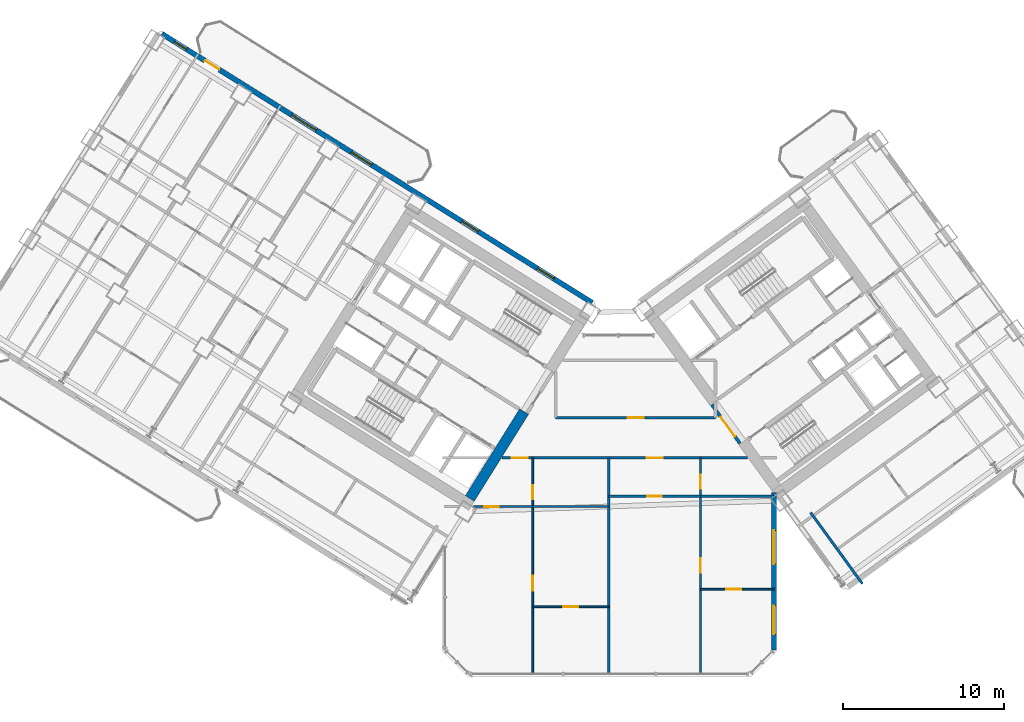
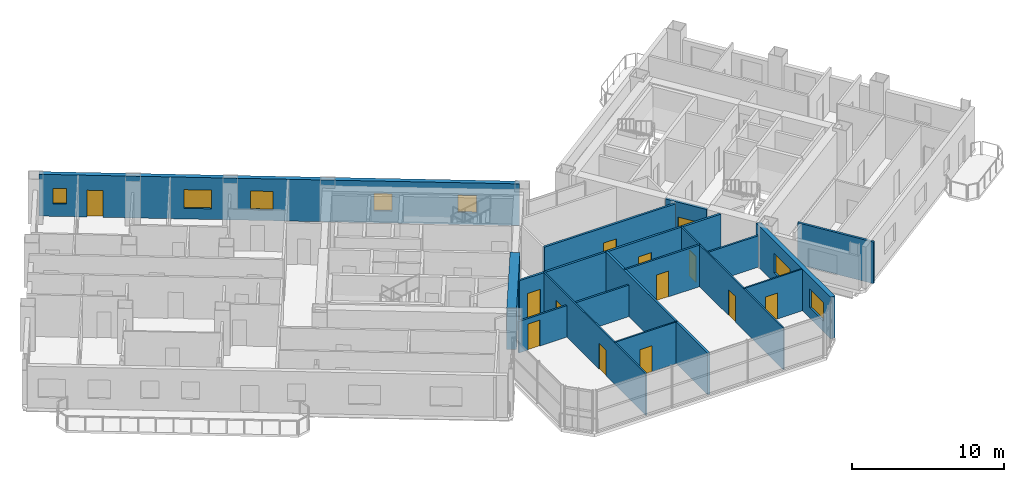
# One storey, part 17 of 24: 16 walls, 13 doors, 7 windows, 20 openings.
"""IFC4 building model written with IfcOpenShell, lengths in metres."""

import ifcopenshell
import ifcopenshell.guid

model = None  # the IFC model being written
_history = None  # IfcOwnerHistory: only IFC2X3 demands one
_inside = {}  # id of a spatial element -> (the spatial element, [elements in it])
_under = {}  # id of a project, library or spatial element -> (it, [spatial elements below it])
_declared = {}  # id of a project -> (the project, [libraries it declares])
_typed = {}  # id of a type object -> (the type object, [elements of that type])
_made_of = {}  # id of a material, layer set ... -> (it, [elements and type objects made of it])


def new_model(schema):
    """Start an empty IFC model of exactly this schema.

    Asked for "IFC4X3", IfcOpenShell would pick the latest addendum, in which some entities
    have other attributes; the version numbers below select the first issue.
    IFC2X3 requires an IfcOwnerHistory on every rooted entity: one is made here for all.
    """
    global model, _history
    if schema == "IFC4X3":
        model = ifcopenshell.file(schema_version=(4, 3, 0, 0))
    else:
        model = ifcopenshell.file(schema=schema)
    _inside.clear()
    _under.clear()
    _declared.clear()
    _typed.clear()
    _made_of.clear()
    _history = None
    if model.schema == "IFC2X3":
        org = make("IfcOrganization", Name="unknown")
        user = make(
            "IfcPersonAndOrganization",
            ThePerson=make("IfcPerson", FamilyName="unknown"),
            TheOrganization=org,
        )
        app = make(
            "IfcApplication",
            ApplicationDeveloper=org,
            Version="unknown",
            ApplicationFullName="unknown",
            ApplicationIdentifier="unknown",
        )
        _history = make(
            "IfcOwnerHistory",
            OwningUser=user,
            OwningApplication=app,
            ChangeAction="ADDED",
            CreationDate=0,
        )
    return model


def make(cls, **values):
    """One entity of the class cls with the attributes given. An attribute that is None is left unset."""
    return model.create_entity(
        cls, **{name: value for name, value in values.items() if value is not None}
    )


def rooted(cls, **values):
    """An entity with a GlobalId (a new one), such as an element, a storey or a relation."""
    return make(cls, GlobalId=ifcopenshell.guid.new(), OwnerHistory=_history, **values)


def si_unit(unit_type, name, prefix=None):
    """IfcSIUnit, for example si_unit("LENGTHUNIT", "METRE", prefix="MILLI")."""
    return make("IfcSIUnit", UnitType=unit_type, Prefix=prefix, Name=name)


def assignment(units):
    """IfcUnitAssignment: the units of a project."""
    return None if units is None else make("IfcUnitAssignment", Units=units)


def point(xyz):
    """IfcCartesianPoint."""
    return None if xyz is None else make("IfcCartesianPoint", Coordinates=xyz)


def direction(xyz):
    """IfcDirection."""
    return None if xyz is None else make("IfcDirection", DirectionRatios=xyz)


def frame(location, z_axis=None, x_axis=None):
    """IfcAxis2Placement3D, a coordinate frame: its origin and axes. An axis left out is left unset."""
    return make(
        "IfcAxis2Placement3D",
        Location=point(location),
        Axis=direction(z_axis),
        RefDirection=direction(x_axis),
    )


def frame_2d(location, x_axis=None):
    """IfcAxis2Placement2D, a coordinate frame in the plane: its origin and x axis."""
    return make(
        "IfcAxis2Placement2D", Location=point(location), RefDirection=direction(x_axis)
    )


def origin():
    """The frame at (0, 0, 0) with its axes left unset."""
    return frame((0.0, 0.0, 0.0))


def place(relative_to, where):
    """IfcLocalPlacement: puts the frame where relative to a parent placement (None: the world)."""
    return make(
        "IfcLocalPlacement", PlacementRelTo=relative_to, RelativePlacement=where
    )


def context(
    kind, dimensions, precision=None, world=None, true_north=None, identifier=None
):
    """IfcGeometricRepresentationContext, for example the 3D "Model" context."""
    return make(
        "IfcGeometricRepresentationContext",
        ContextIdentifier=identifier,
        ContextType=kind,
        CoordinateSpaceDimension=dimensions,
        Precision=precision,
        WorldCoordinateSystem=world,
        TrueNorth=true_north,
    )


def subcontext(parent, identifier, kind, view, scale=None):
    """IfcGeometricRepresentationSubContext, for example "Body" below "Model"."""
    return make(
        "IfcGeometricRepresentationSubContext",
        ContextIdentifier=identifier,
        ContextType=kind,
        ParentContext=parent,
        TargetScale=scale,
        TargetView=view,
    )


def project(units=None, contexts=None):
    """IfcProject with its units and contexts."""
    return rooted(
        "IfcProject",
        Name="project",
        RepresentationContexts=contexts,
        UnitsInContext=assignment(units),
    )


def spatial(cls, under=None, at=None, **own):
    """A site, building, storey or space (cls), placed at a placement, below another one or the project."""
    s = rooted(cls, ObjectPlacement=at, **own)
    if under is not None:
        _under.setdefault(under.id(), (under, []))[1].append(s)
    return s


def profile(cls, at=None, kind="AREA", **sizes):
    """A parametric profile (cls). Its sizes go by their IFC names, for example OverallWidth=200.0."""
    return make(cls, ProfileType=kind, Position=at, **sizes)


def rectangle(**sizes):
    """IfcRectangleProfileDef."""
    return profile("IfcRectangleProfileDef", **sizes)


def extrude(swept, where, along, depth):
    """IfcExtrudedAreaSolid: the profile swept, set in the frame where, extruded along a direction by depth."""
    return make(
        "IfcExtrudedAreaSolid",
        SweptArea=swept,
        Position=where,
        ExtrudedDirection=direction(along),
        Depth=depth,
    )


def shape(context_of_items, identifier, shape_type, items):
    """IfcShapeRepresentation: the items that make up one representation, for example the "Body"."""
    return make(
        "IfcShapeRepresentation",
        ContextOfItems=context_of_items,
        RepresentationIdentifier=identifier,
        RepresentationType=shape_type,
        Items=items,
    )


def source(mapping_origin, context_of_items, identifier, shape_type, items):
    """IfcRepresentationMap: a shape defined once, which mapped items show again and again."""
    return make(
        "IfcRepresentationMap",
        MappingOrigin=mapping_origin,
        MappedRepresentation=shape(context_of_items, identifier, shape_type, items),
    )


def transform(
    local_origin,
    x_axis=None,
    y_axis=None,
    z_axis=None,
    scale=None,
    scale2=None,
    scale3=None,
    uniform=True,
):
    """IfcCartesianTransformationOperator3D, or its non-uniform kind. x_axis, y_axis, z_axis: its Axis1, 2, 3."""
    if uniform:
        return make(
            "IfcCartesianTransformationOperator3D",
            Axis1=direction(x_axis),
            Axis2=direction(y_axis),
            LocalOrigin=point(local_origin),
            Scale=scale,
            Axis3=direction(z_axis),
        )
    return make(
        "IfcCartesianTransformationOperator3DnonUniform",
        Axis1=direction(x_axis),
        Axis2=direction(y_axis),
        LocalOrigin=point(local_origin),
        Scale=scale,
        Axis3=direction(z_axis),
        Scale2=scale2,
        Scale3=scale3,
    )


def mapped(mapping_source, mapping_target):
    """IfcMappedItem: shows the shape of a source again, moved by a transform."""
    return make(
        "IfcMappedItem", MappingSource=mapping_source, MappingTarget=mapping_target
    )


def material(Name=None, Category=None):
    """IfcMaterial."""
    return make("IfcMaterial", Name=Name, Category=Category)


def layer(
    of_material, thickness, ventilated=None, Name=None, Category=None, Priority=None
):
    """IfcMaterialLayer: one layer of a wall or slab, of a material (None: an air gap)."""
    return make(
        "IfcMaterialLayer",
        Material=of_material,
        LayerThickness=thickness,
        IsVentilated=ventilated,
        Name=Name,
        Category=Category,
        Priority=Priority,
    )


def layer_set(layers, Name=None):
    """IfcMaterialLayerSet."""
    return make("IfcMaterialLayerSet", MaterialLayers=layers, LayerSetName=Name)


def made_of(thing, what):
    """Note that an element or type object is made of a material, layer set ...; save() writes the relation."""
    if what is not None:
        _made_of.setdefault(what.id(), (what, []))[1].append(thing)
    return thing


def type_object(cls, material=None, **own):
    """A type object (cls), such as IfcWallType, which elements share."""
    return made_of(rooted(cls, **own), material)


def element(
    cls,
    number,
    at=None,
    inside=None,
    cuts=None,
    type_object=None,
    material=None,
    context=None,
    identifier="Body",
    shape_type=None,
    held_by="IfcProductDefinitionShape",
    body=None,
    shapes=None,
    **own,
):
    """One element of the class cls, such as IfcWall. Its Tag is "e" and its number.

    at: its placement. inside: the storey or other place that contains it. cuts: it is an
    opening in that element (IfcRelVoidsElement). A single representation is given by context,
    identifier, shape_type and body (its items); several are given by shapes. held_by: the class
    of the entity that holds the representations. save() writes the other relations.
    """
    e = rooted(cls, Tag="e%d" % number, ObjectPlacement=at, **own)
    if body is not None:
        shapes = [shape(context, identifier, shape_type, body)]
    if shapes is not None:
        e.Representation = make(held_by, Representations=shapes)
    if inside is not None:
        _inside.setdefault(inside.id(), (inside, []))[1].append(e)
    if cuts is not None:
        rooted(
            "IfcRelVoidsElement", RelatingBuildingElement=cuts, RelatedOpeningElement=e
        )
    if type_object is not None:
        _typed.setdefault(type_object.id(), (type_object, []))[1].append(e)
    return made_of(e, material)


def fill(opening, filler):
    """IfcRelFillsElement: the door or window that sits in an opening."""
    return rooted(
        "IfcRelFillsElement",
        RelatingOpeningElement=opening,
        RelatedBuildingElement=filler,
    )


def aggregate(whole, parts):
    """IfcRelAggregates: a whole, such as a stair, and the parts it consists of."""
    return rooted("IfcRelAggregates", RelatingObject=whole, RelatedObjects=parts)


def save(model, path):
    """Write the relations noted so far, then the file.

    IfcRelAggregates (storeys below a building ...), IfcRelContainedInSpatialStructure (elements
    in a storey), IfcRelDefinesByType, IfcRelAssociatesMaterial and IfcRelDeclares: one each for
    every whole, place, type object, material and project.
    """
    for whole, parts in _under.values():
        aggregate(whole, parts)
    for where, things in _inside.values():
        rooted(
            "IfcRelContainedInSpatialStructure",
            RelatedElements=things,
            RelatingStructure=where,
        )
    for kind, things in _typed.values():
        rooted("IfcRelDefinesByType", RelatedObjects=things, RelatingType=kind)
    for what, things in _made_of.values():
        rooted("IfcRelAssociatesMaterial", RelatedObjects=things, RelatingMaterial=what)
    for by, libraries in _declared.values():
        rooted("IfcRelDeclares", RelatingContext=by, RelatedDefinitions=libraries)
    model.write(path)


model = new_model("IFC4")

# Units and contexts
model_context = context("Model", 3, precision=1e-05, world=origin(), true_north=direction((0.0, 1.0)))
body_context = subcontext(model_context, "Body", "Model", "MODEL_VIEW")
ifc_project = project(units=[si_unit("LENGTHUNIT", "METRE"), si_unit("AREAUNIT", "SQUARE_METRE"), si_unit("VOLUMEUNIT", "CUBIC_METRE"), si_unit("PLANEANGLEUNIT", "RADIAN"), si_unit("MASSUNIT", "GRAM", prefix="KILO")], contexts=[model_context])

# Site, building, storey
site_placement = place(None, origin())
site = spatial("IfcSite", under=ifc_project, at=site_placement, CompositionType="ELEMENT")
building_placement = place(site_placement, origin())
building = spatial("IfcBuilding", under=site, at=building_placement, Name="Tlacorven Tower", CompositionType="ELEMENT")
storey_placement = place(building_placement, frame((0.0, 0.0, 45.60009765625)))
storey = spatial("IfcBuildingStorey", under=building, at=storey_placement, Name="L11", CompositionType="ELEMENT", Elevation=45.60009765625)

# Wall
ifc_material_1 = material(Name="Concrete C60/75", Category="concrete")
ifc_layer_1 = layer(ifc_material_1, 0.64990234375)
ifc_layer_set_1 = layer_set([ifc_layer_1], Name="Concrete C60/75")
wall_type_1 = type_object("IfcWallType", Name="WL-COR-650", PredefinedType="SHEAR", material=ifc_layer_set_1)
wall_1_placement = place(storey_placement, frame((36.683349609375, 18.30419921875, 0.0), z_axis=(0.0, 0.0, 1.0), x_axis=(-0.529899109053, -0.848060690178, 0.0)))
element("IfcWall", 1, at=wall_1_placement, inside=storey, type_object=wall_type_1, Name="L11 W core end wall E1.2", PredefinedType="SHEAR", context=body_context, shape_type="SweptSolid", body=[
    extrude(rectangle(XDim=6.375244140625, YDim=0.64990234375, at=frame_2d((3.1875, 0.0))), origin(), (0.0, 0.0, 1.0), 3.349853515625),
])

# Wall, openings, doors
ifc_material_2 = material(Name="Gypsum plasterboard acoustic partition", Category="gypsum")
ifc_layer_2 = layer(ifc_material_2, 0.159912109375)
ifc_layer_set_2 = layer_set([ifc_layer_2], Name="Gypsum plasterboard acoustic partition")
wall_type_2 = type_object("IfcWallType", Name="WL-DEM-160", PredefinedType="PARTITIONING", material=ifc_layer_set_2)
wall_2_placement = place(storey_placement, frame((35.29638671875, 15.419921875, 0.0), z_axis=(0.0, 0.0, 1.0), x_axis=(1.0, 0.0, 0.0)))
wall_2 = element("IfcWall", 2, at=wall_2_placement, inside=storey, type_object=wall_type_2, Name="L11 Knuckle Corridor South Wall", PredefinedType="PARTITIONING", context=body_context, shape_type="SweptSolid", body=[
    extrude(rectangle(XDim=15.310546875, YDim=0.159912109375, at=frame_2d((7.6552734375, 0.0))), origin(), (0.0, 0.0, 1.0), 3.33984375),
])
opening_1_placement = place(wall_2_placement, frame((0.61474609375, 0.0, 0.0)))
opening_1 = element("IfcOpeningElement", 3, at=opening_1_placement, cuts=wall_2, Name="Opening D11", PredefinedType="OPENING", context=body_context, shape_type="SweptSolid", body=[
    extrude(rectangle(XDim=1.0, YDim=2.10009765625, at=frame_2d((0.5, 1.050048828125))), frame((0.0, 0.08984375, 0.0), z_axis=(0.0, -1.0, 0.0), x_axis=(1.0, 0.0, 0.0)), (0.0, 0.0, 1.0), 0.179931640625),
])
opening_2_placement = place(wall_2_placement, frame((9.03515625, 0.0, 0.0)))
opening_2 = element("IfcOpeningElement", 4, at=opening_2_placement, cuts=wall_2, Name="Opening D11", PredefinedType="OPENING", context=body_context, shape_type="SweptSolid", body=[
    extrude(rectangle(XDim=1.0, YDim=2.10009765625, at=frame_2d((0.5, 1.050048828125))), frame((0.0, 0.08984375, 0.0), z_axis=(0.0, -1.0, 0.0), x_axis=(1.0, 0.0, 0.0)), (0.0, 0.0, 1.0), 0.179931640625),
])
ifc_material_3 = material(Name="Fire-rated steel door assembly", Category="steel")
door_type_1 = type_object("IfcDoorType", Name="DR-FLT-FD60-1000", OperationType="NOTDEFINED", PredefinedType="DOOR", material=ifc_material_3)
shared_shape_1 = source(origin(), body_context, "Body", "SweptSolid", [
    extrude(rectangle(XDim=1.0, YDim=2.10009765625, at=frame_2d((0.5, 1.050048828125))), frame((0.0, 0.02490234375, 0.0), z_axis=(0.0, -1.0, 0.0), x_axis=(1.0, 0.0, 0.0)), (0.0, 0.0, 1.0), 0.050048828125),
])
door_1_placement = place(opening_1_placement, frame((1.0, 0.0, 0.0), z_axis=(0.0, 0.0, 1.0), x_axis=(-1.0, 0.0, 0.0)))
door_1 = element("IfcDoor", 5, at=door_1_placement, inside=storey, type_object=door_type_1, Name="L11 door 052", OperationType="SINGLE_SWING_LEFT", OverallHeight=2.10009765625, OverallWidth=1.0, PredefinedType="DOOR", context=body_context, shape_type="MappedRepresentation", body=[
    mapped(shared_shape_1, transform((0.0, 0.0, 0.0), scale=1.0)),
])
fill(opening_1, door_1)
door_2_placement = place(opening_2_placement, frame((1.0, 0.0, 0.0), z_axis=(0.0, 0.0, 1.0), x_axis=(-1.0, 0.0, 0.0)))
door_2 = element("IfcDoor", 6, at=door_2_placement, inside=storey, type_object=door_type_1, Name="L11 door 057", OperationType="SINGLE_SWING_RIGHT", OverallHeight=2.10009765625, OverallWidth=1.0, PredefinedType="DOOR", context=body_context, shape_type="MappedRepresentation", body=[
    mapped(shared_shape_1, transform((0.0, 0.0, 0.0), scale=1.0)),
])
fill(opening_2, door_2)

# Wall, opening, door
wall_3_placement = place(storey_placement, frame((38.64990234375, 17.929931640625, 0.0), z_axis=(0.0, 0.0, 1.0), x_axis=(1.0, 0.0, 0.0)))
wall_3 = element("IfcWall", 7, at=wall_3_placement, inside=storey, type_object=wall_type_2, Name="L11 partition 81", PredefinedType="PARTITIONING", context=body_context, shape_type="SweptSolid", body=[
    extrude(rectangle(XDim=9.9501953125, YDim=0.159912109375, at=frame_2d((4.97509765625, 0.0))), origin(), (0.0, 0.0, 1.0), 3.33984375),
])
opening_3_placement = place(wall_3_placement, frame((4.47509765625, 0.0, 0.0)))
opening_3 = element("IfcOpeningElement", 8, at=opening_3_placement, cuts=wall_3, Name="Opening D11", PredefinedType="OPENING", context=body_context, shape_type="SweptSolid", body=[
    extrude(rectangle(XDim=1.0, YDim=2.10009765625, at=frame_2d((0.5, 1.050048828125))), frame((0.0, 0.08984375, 0.0), z_axis=(0.0, -1.0, 0.0), x_axis=(1.0, 0.0, 0.0)), (0.0, 0.0, 1.0), 0.179931640625),
])
door_3_placement = place(opening_3_placement, origin())
door_3 = element("IfcDoor", 9, at=door_3_placement, inside=storey, type_object=door_type_1, Name="L11 door 047", OperationType="SINGLE_SWING_RIGHT", OverallHeight=2.10009765625, OverallWidth=1.0, PredefinedType="DOOR", context=body_context, shape_type="MappedRepresentation", body=[
    mapped(shared_shape_1, transform((0.0, 0.0, 0.0), scale=1.0)),
])
fill(opening_3, door_3)

# Walls
wall_4_placement = place(storey_placement, frame((41.949951171875, 1.9599609375, 0.0), z_axis=(0.0, 0.0, 1.0), x_axis=(0.0, 1.0, 0.0)))
element("IfcWall", 10, at=wall_4_placement, inside=storey, type_object=wall_type_2, Name="L11 Knuckle Demising Wall 1", PredefinedType="PARTITIONING", context=body_context, shape_type="SweptSolid", body=[
    extrude(rectangle(XDim=13.4599609375, YDim=0.159912109375, at=frame_2d((6.72998046875, 0.0))), origin(), (0.0, 0.0, 1.0), 3.33984375),
])
wall_5_placement = place(storey_placement, frame((57.747314453125, 7.586181640625, 0.0), z_axis=(0.0, 0.0, 1.0), x_axis=(-0.587784893399, 0.809017255126, 0.0)))
element("IfcWall", 11, at=wall_5_placement, inside=storey, type_object=wall_type_2, Name="L11 EC West Throat Wall", PredefinedType="PARTITIONING", context=body_context, shape_type="SweptSolid", body=[
    extrude(rectangle(XDim=5.480224609375, YDim=0.159912109375, at=frame_2d((2.740234375, 0.0))), origin(), (0.0, 0.0, 1.0), 3.33984375),
])

# Wall, openings, door, windows
ifc_material_4 = material(Name="Precast concrete C45/55", Category="concrete")
ifc_layer_3 = layer(ifc_material_4, 0.320068359375)
ifc_layer_set_3 = layer_set([ifc_layer_3], Name="Precast concrete C45/55")
wall_type_3 = type_object("IfcWallType", Name="WL-EXT-320", PredefinedType="STANDARD", material=ifc_layer_set_3)
wall_6_placement = place(storey_placement, frame((14.13818359375, 41.825439453125, 0.0), z_axis=(0.0, 0.0, 1.0), x_axis=(0.848046498049, -0.529921821731, 0.0)))
wall_6 = element("IfcWall", 12, at=wall_6_placement, inside=storey, type_object=wall_type_3, Name="L11 Masonry-Frame Recessed Facade Wall 3", PredefinedType="STANDARD", context=body_context, shape_type="SweptSolid", body=[
    extrude(rectangle(XDim=31.587646484375, YDim=0.320068359375, at=frame_2d((15.7939453125, 0.0))), origin(), (0.0, 0.0, 1.0), 3.349853515625),
])
opening_4_placement = place(wall_6_placement, frame((3.15869140625, 0.0, 0.0)))
opening_4 = element("IfcOpeningElement", 13, at=opening_4_placement, cuts=wall_6, Name="Opening D06", PredefinedType="OPENING", context=body_context, shape_type="SweptSolid", body=[
    extrude(rectangle(XDim=1.050048828125, YDim=2.14990234375, at=frame_2d((0.52490234375, 1.074951171875))), frame((0.0, 0.169921875, 0.0), z_axis=(0.0, -1.0, 0.0), x_axis=(1.0, 0.0, 0.0)), (0.0, 0.0, 1.0), 0.340087890625),
])
opening_5_placement = place(wall_6_placement, frame((0.90625, 0.0, 1.0)))
opening_5 = element("IfcOpeningElement", 14, at=opening_5_placement, cuts=wall_6, Name="Opening WN05", PredefinedType="OPENING", context=body_context, shape_type="SweptSolid", body=[
    extrude(rectangle(XDim=0.89990234375, YDim=1.25, at=frame_2d((0.449951171875, 0.625))), frame((0.0, 0.169921875, 0.0), z_axis=(0.0, -1.0, 0.0), x_axis=(1.0, 0.0, 0.0)), (0.0, 0.0, 1.0), 0.340087890625),
])
opening_6_placement = place(wall_6_placement, frame((9.537109375, 0.0, 0.85009765625)))
opening_6 = element("IfcOpeningElement", 15, at=opening_6_placement, cuts=wall_6, Name="Opening WN01", PredefinedType="OPENING", context=body_context, shape_type="SweptSolid", body=[
    extrude(rectangle(XDim=1.800048828125, YDim=1.5, at=frame_2d((0.89990234375, 0.75))), frame((0.0, 0.169921875, 0.0), z_axis=(0.0, -1.0, 0.0), x_axis=(1.0, 0.0, 0.0)), (0.0, 0.0, 1.0), 0.340087890625),
])
opening_7_placement = place(wall_6_placement, frame((13.898681640625, 0.0, 0.85009765625)))
opening_7 = element("IfcOpeningElement", 16, at=opening_7_placement, cuts=wall_6, Name="Opening WN02", PredefinedType="OPENING", context=body_context, shape_type="SweptSolid", body=[
    extrude(rectangle(XDim=1.5, YDim=1.5, at=frame_2d((0.75, 0.75))), frame((0.0, 0.169921875, 0.0), z_axis=(0.0, -1.0, 0.0), x_axis=(1.0, 0.0, 0.0)), (0.0, 0.0, 1.0), 0.340087890625),
])
opening_8_placement = place(wall_6_placement, frame((22.018798828125, 0.0, 0.949951171875)))
opening_8 = element("IfcOpeningElement", 17, at=opening_8_placement, cuts=wall_6, Name="Opening WN03", PredefinedType="OPENING", context=body_context, shape_type="SweptSolid", body=[
    extrude(rectangle(XDim=1.199951171875, YDim=1.39990234375, at=frame_2d((0.60009765625, 0.699951171875))), frame((0.0, 0.169921875, 0.0), z_axis=(0.0, -1.0, 0.0), x_axis=(1.0, 0.0, 0.0)), (0.0, 0.0, 1.0), 0.340087890625),
])
opening_9_placement = place(wall_6_placement, frame((27.568603515625, 0.0, 0.949951171875)))
opening_9 = element("IfcOpeningElement", 18, at=opening_9_placement, cuts=wall_6, Name="Opening WN03", PredefinedType="OPENING", context=body_context, shape_type="SweptSolid", body=[
    extrude(rectangle(XDim=1.199951171875, YDim=1.39990234375, at=frame_2d((0.60009765625, 0.699951171875))), frame((0.0, 0.169921875, 0.0), z_axis=(0.0, -1.0, 0.0), x_axis=(1.0, 0.0, 0.0)), (0.0, 0.0, 1.0), 0.340087890625),
])
ifc_material_5 = material(Name="Powder-coated aluminium and timber door", Category="wood")
door_type_2 = type_object("IfcDoorType", Name="DR-EXT-BALC-1050", OperationType="NOTDEFINED", PredefinedType="DOOR", material=ifc_material_5)
shared_shape_2 = source(origin(), body_context, "Body", "SweptSolid", [
    extrude(rectangle(XDim=1.050048828125, YDim=2.14990234375, at=frame_2d((0.52490234375, 1.074951171875))), frame((0.0, 0.02490234375, 0.0), z_axis=(0.0, -1.0, 0.0), x_axis=(1.0, 0.0, 0.0)), (0.0, 0.0, 1.0), 0.050048828125),
])
door_4_placement = place(opening_4_placement, origin())
door_4 = element("IfcDoor", 19, at=door_4_placement, inside=storey, type_object=door_type_2, Name="L11 Outdoor Access Door BAL-L11-W-IN", OperationType="SINGLE_SWING_RIGHT", OverallHeight=2.14990234375, OverallWidth=1.050048828125, PredefinedType="DOOR", context=body_context, shape_type="MappedRepresentation", body=[
    mapped(shared_shape_2, transform((0.0, 0.0, 0.0), scale=1.0)),
])
fill(opening_4, door_4)
ifc_material_6 = material(Name="Dark solar low-E double glazing in anodised aluminium frame", Category="aluminium")
window_type_1 = type_object("IfcWindowType", Name="WN-APT-1200X1500", PartitioningType="SINGLE_PANEL", PredefinedType="WINDOW", material=ifc_material_6)
shared_shape_3 = source(origin(), body_context, "Body", "SweptSolid", [
    extrude(rectangle(XDim=1.199951171875, YDim=1.39990234375, at=frame_2d((0.60009765625, 0.699951171875))), frame((0.0, 0.030029296875, 0.0), z_axis=(0.0, -1.0, 0.0), x_axis=(1.0, 0.0, 0.0)), (0.0, 0.0, 1.0), 0.06005859375),
])
window_1_placement = place(opening_8_placement, origin())
window_1 = element("IfcWindow", 20, at=window_1_placement, inside=storey, type_object=window_type_1, Name="L11 Recessed Masonry-Frame Window L11-03.4", OverallHeight=1.39990234375, OverallWidth=1.199951171875, PartitioningType="SINGLE_PANEL", PredefinedType="WINDOW", context=body_context, shape_type="MappedRepresentation", body=[
    mapped(shared_shape_3, transform((0.0, 0.0, 0.0), scale=1.0)),
])
fill(opening_8, window_1)
window_2_placement = place(opening_9_placement, origin())
window_2 = element("IfcWindow", 21, at=window_2_placement, inside=storey, type_object=window_type_1, Name="L11 Recessed Masonry-Frame Window L11-03.5", OverallHeight=1.39990234375, OverallWidth=1.199951171875, PartitioningType="SINGLE_PANEL", PredefinedType="WINDOW", context=body_context, shape_type="MappedRepresentation", body=[
    mapped(shared_shape_3, transform((0.0, 0.0, 0.0), scale=1.0)),
])
fill(opening_9, window_2)
window_type_2 = type_object("IfcWindowType", Name="WN-APT-1800X1650", PartitioningType="SINGLE_PANEL", PredefinedType="WINDOW", material=ifc_material_6)
shared_shape_4 = source(origin(), body_context, "Body", "SweptSolid", [
    extrude(rectangle(XDim=1.800048828125, YDim=1.5, at=frame_2d((0.89990234375, 0.75))), frame((0.0, 0.030029296875, 0.0), z_axis=(0.0, -1.0, 0.0), x_axis=(1.0, 0.0, 0.0)), (0.0, 0.0, 1.0), 0.06005859375),
])
window_3_placement = place(opening_6_placement, origin())
window_3 = element("IfcWindow", 22, at=window_3_placement, inside=storey, type_object=window_type_2, Name="L11 Recessed Masonry-Frame Window L11-03.2", OverallHeight=1.5, OverallWidth=1.800048828125, PartitioningType="SINGLE_PANEL", PredefinedType="WINDOW", context=body_context, shape_type="MappedRepresentation", body=[
    mapped(shared_shape_4, transform((0.0, 0.0, 0.0), scale=1.0)),
])
fill(opening_6, window_3)
window_type_3 = type_object("IfcWindowType", Name="WN-APT-1500X1650", PartitioningType="SINGLE_PANEL", PredefinedType="WINDOW", material=ifc_material_6)
shared_shape_5 = source(origin(), body_context, "Body", "SweptSolid", [
    extrude(rectangle(XDim=1.5, YDim=1.5, at=frame_2d((0.75, 0.75))), frame((0.0, 0.030029296875, 0.0), z_axis=(0.0, -1.0, 0.0), x_axis=(1.0, 0.0, 0.0)), (0.0, 0.0, 1.0), 0.06005859375),
])
window_4_placement = place(opening_7_placement, origin())
window_4 = element("IfcWindow", 23, at=window_4_placement, inside=storey, type_object=window_type_3, Name="L11 Recessed Masonry-Frame Window L11-03.3", OverallHeight=1.5, OverallWidth=1.5, PartitioningType="SINGLE_PANEL", PredefinedType="WINDOW", context=body_context, shape_type="MappedRepresentation", body=[
    mapped(shared_shape_5, transform((0.0, 0.0, 0.0), scale=1.0)),
])
fill(opening_7, window_4)
window_type_4 = type_object("IfcWindowType", Name="WN-APT-0900X1350", PartitioningType="SINGLE_PANEL", PredefinedType="WINDOW", material=ifc_material_6)
shared_shape_6 = source(origin(), body_context, "Body", "SweptSolid", [
    extrude(rectangle(XDim=0.89990234375, YDim=1.25, at=frame_2d((0.449951171875, 0.625))), frame((0.0, 0.030029296875, 0.0), z_axis=(0.0, -1.0, 0.0), x_axis=(1.0, 0.0, 0.0)), (0.0, 0.0, 1.0), 0.06005859375),
])
window_5_placement = place(opening_5_placement, origin())
window_5 = element("IfcWindow", 24, at=window_5_placement, inside=storey, type_object=window_type_4, Name="L11 Recessed Masonry-Frame Window L11-03.1", OverallHeight=1.25, OverallWidth=0.89990234375, PartitioningType="SINGLE_PANEL", PredefinedType="WINDOW", context=body_context, shape_type="MappedRepresentation", body=[
    mapped(shared_shape_6, transform((0.0, 0.0, 0.0), scale=1.0)),
])
fill(opening_5, window_5)

# Wall, openings, windows
wall_7_placement = place(storey_placement, frame((52.239990234375, 13.260986328125, 0.0), z_axis=(0.0, 0.0, 1.0), x_axis=(0.0, -1.0, 0.0)))
wall_7 = element("IfcWall", 25, at=wall_7_placement, inside=storey, type_object=wall_type_3, Name="L11 Masonry-Frame Recessed Facade Wall 8", PredefinedType="STANDARD", context=body_context, shape_type="SweptSolid", body=[
    extrude(rectangle(XDim=9.794677734375, YDim=0.320068359375, at=frame_2d((4.8974609375, 0.0))), origin(), (0.0, 0.0, 1.0), 3.349853515625),
])
opening_10_placement = place(wall_7_placement, frame((2.349365234375, 0.0, 0.800048828125)))
opening_10 = element("IfcOpeningElement", 26, at=opening_10_placement, cuts=wall_7, Name="Opening WN04", PredefinedType="OPENING", context=body_context, shape_type="SweptSolid", body=[
    extrude(rectangle(XDim=2.10009765625, YDim=1.550048828125, at=frame_2d((1.050048828125, 0.77490234375))), frame((0.0, 0.169921875, 0.0), z_axis=(0.0, -1.0, 0.0), x_axis=(1.0, 0.0, 0.0)), (0.0, 0.0, 1.0), 0.340087890625),
])
opening_11_placement = place(wall_7_placement, frame((7.0302734375, 0.0, 0.85009765625)))
opening_11 = element("IfcOpeningElement", 27, at=opening_11_placement, cuts=wall_7, Name="Opening WN01", PredefinedType="OPENING", context=body_context, shape_type="SweptSolid", body=[
    extrude(rectangle(XDim=1.800048828125, YDim=1.5, at=frame_2d((0.89990234375, 0.75))), frame((0.0, 0.169921875, 0.0), z_axis=(0.0, -1.0, 0.0), x_axis=(1.0, 0.0, 0.0)), (0.0, 0.0, 1.0), 0.340087890625),
])
window_type_5 = type_object("IfcWindowType", Name="WN-APT-2100X1750", PartitioningType="SINGLE_PANEL", PredefinedType="WINDOW", material=ifc_material_6)
shared_shape_7 = source(origin(), body_context, "Body", "SweptSolid", [
    extrude(rectangle(XDim=2.10009765625, YDim=1.550048828125, at=frame_2d((1.050048828125, 0.77490234375))), frame((0.0, 0.030029296875, 0.0), z_axis=(0.0, -1.0, 0.0), x_axis=(1.0, 0.0, 0.0)), (0.0, 0.0, 1.0), 0.06005859375),
])
window_6_placement = place(opening_10_placement, origin())
window_6 = element("IfcWindow", 28, at=window_6_placement, inside=storey, type_object=window_type_5, Name="L11 Recessed Masonry-Frame Window L11-08.1", OverallHeight=1.550048828125, OverallWidth=2.10009765625, PartitioningType="SINGLE_PANEL", PredefinedType="WINDOW", context=body_context, shape_type="MappedRepresentation", body=[
    mapped(shared_shape_7, transform((0.0, 0.0, 0.0), scale=1.0)),
])
fill(opening_10, window_6)
window_7_placement = place(opening_11_placement, origin())
window_7 = element("IfcWindow", 29, at=window_7_placement, inside=storey, type_object=window_type_2, Name="L11 Recessed Masonry-Frame Window L11-08.2", OverallHeight=1.5, OverallWidth=1.800048828125, PartitioningType="SINGLE_PANEL", PredefinedType="WINDOW", context=body_context, shape_type="MappedRepresentation", body=[
    mapped(shared_shape_4, transform((0.0, 0.0, 0.0), scale=1.0)),
])
fill(opening_11, window_7)

# Wall, openings, doors
ifc_material_7 = material(Name="Gypsum plasterboard partition", Category="gypsum")
ifc_layer_4 = layer(ifc_material_7, 0.110107421875)
ifc_layer_set_4 = layer_set([ifc_layer_4], Name="Gypsum plasterboard partition")
wall_type_4 = type_object("IfcWallType", Name="WL-INT-110", PredefinedType="PARTITIONING", material=ifc_layer_set_4)
wall_8_placement = place(storey_placement, frame((37.221923828125, 1.9599609375, 0.0), z_axis=(0.0, 0.0, 1.0), x_axis=(0.0, 1.0, 0.0)))
wall_8 = element("IfcWall", 30, at=wall_8_placement, inside=storey, type_object=wall_type_4, Name="L11 partition 87", PredefinedType="PARTITIONING", context=body_context, shape_type="SweptSolid", body=[
    extrude(rectangle(XDim=13.4599609375, YDim=0.110107421875, at=frame_2d((6.72998046875, 0.0))), origin(), (0.0, 0.0, 1.0), 3.33984375),
])
opening_12_placement = place(wall_8_placement, frame((5.199951171875, 0.0, 0.0)))
opening_12 = element("IfcOpeningElement", 31, at=opening_12_placement, cuts=wall_8, Name="Opening D12", PredefinedType="OPENING", context=body_context, shape_type="SweptSolid", body=[
    extrude(rectangle(XDim=0.919921875, YDim=2.080078125, at=frame_2d((0.4599609375, 1.0400390625))), frame((0.0, 0.06494140625, 0.0), z_axis=(0.0, -1.0, 0.0), x_axis=(1.0, 0.0, 0.0)), (0.0, 0.0, 1.0), 0.130126953125),
])
opening_13_placement = place(wall_8_placement, frame((10.889892578125, 0.0, 0.0)))
opening_13 = element("IfcOpeningElement", 32, at=opening_13_placement, cuts=wall_8, Name="Opening D13", PredefinedType="OPENING", context=body_context, shape_type="SweptSolid", body=[
    extrude(rectangle(XDim=0.8798828125, YDim=2.080078125, at=frame_2d((0.43994140625, 1.0400390625))), frame((0.0, 0.06494140625, 0.0), z_axis=(0.0, -1.0, 0.0), x_axis=(1.0, 0.0, 0.0)), (0.0, 0.0, 1.0), 0.130126953125),
])
door_type_3 = type_object("IfcDoorType", Name="DR-INT-WET-0880", OperationType="NOTDEFINED", PredefinedType="DOOR", material=ifc_material_5)
shared_shape_8 = source(origin(), body_context, "Body", "SweptSolid", [
    extrude(rectangle(XDim=0.8798828125, YDim=2.080078125, at=frame_2d((0.43994140625, 1.0400390625))), frame((0.0, 0.02490234375, 0.0), z_axis=(0.0, -1.0, 0.0), x_axis=(1.0, 0.0, 0.0)), (0.0, 0.0, 1.0), 0.050048828125),
])
door_5_placement = place(opening_13_placement, origin())
door_5 = element("IfcDoor", 33, at=door_5_placement, inside=storey, type_object=door_type_3, Name="L11 door 054", OperationType="SINGLE_SWING_LEFT", OverallHeight=2.080078125, OverallWidth=0.8798828125, PredefinedType="DOOR", context=body_context, shape_type="MappedRepresentation", body=[
    mapped(shared_shape_8, transform((0.0, 0.0, 0.0), scale=1.0)),
])
fill(opening_13, door_5)
door_type_4 = type_object("IfcDoorType", Name="DR-INT-ROOM-0920", OperationType="NOTDEFINED", PredefinedType="DOOR", material=ifc_material_5)
shared_shape_9 = source(origin(), body_context, "Body", "SweptSolid", [
    extrude(rectangle(XDim=0.919921875, YDim=2.080078125, at=frame_2d((0.4599609375, 1.0400390625))), frame((0.0, 0.02490234375, 0.0), z_axis=(0.0, -1.0, 0.0), x_axis=(1.0, 0.0, 0.0)), (0.0, 0.0, 1.0), 0.050048828125),
])
door_6_placement = place(opening_12_placement, origin())
door_6 = element("IfcDoor", 34, at=door_6_placement, inside=storey, type_object=door_type_4, Name="L11 door 050", OperationType="SINGLE_SWING_LEFT", OverallHeight=2.080078125, OverallWidth=0.919921875, PredefinedType="DOOR", context=body_context, shape_type="MappedRepresentation", body=[
    mapped(shared_shape_9, transform((0.0, 0.0, 0.0), scale=1.0)),
])
fill(opening_12, door_6)

# Wall, opening, door
wall_9_placement = place(storey_placement, frame((37.221923828125, 6.14990234375, 0.0), z_axis=(0.0, 0.0, 1.0), x_axis=(1.0, 0.0, 0.0)))
wall_9 = element("IfcWall", 35, at=wall_9_placement, inside=storey, type_object=wall_type_4, Name="L11 partition 90", PredefinedType="PARTITIONING", context=body_context, shape_type="SweptSolid", body=[
    extrude(rectangle(XDim=4.72802734375, YDim=0.110107421875, at=frame_2d((2.364013671875, 0.0))), origin(), (0.0, 0.0, 1.0), 3.33984375),
])
opening_14_placement = place(wall_9_placement, frame((1.904052734375, 0.0, 0.0)))
opening_14 = element("IfcOpeningElement", 36, at=opening_14_placement, cuts=wall_9, Name="Opening D12", PredefinedType="OPENING", context=body_context, shape_type="SweptSolid", body=[
    extrude(rectangle(XDim=0.919921875, YDim=2.080078125, at=frame_2d((0.4599609375, 1.0400390625))), frame((0.0, 0.06494140625, 0.0), z_axis=(0.0, -1.0, 0.0), x_axis=(1.0, 0.0, 0.0)), (0.0, 0.0, 1.0), 0.130126953125),
])
door_7_placement = place(opening_14_placement, origin())
door_7 = element("IfcDoor", 37, at=door_7_placement, inside=storey, type_object=door_type_4, Name="L11 door 051", OperationType="SINGLE_SWING_RIGHT", OverallHeight=2.080078125, OverallWidth=0.919921875, PredefinedType="DOOR", context=body_context, shape_type="MappedRepresentation", body=[
    mapped(shared_shape_9, transform((0.0, 0.0, 0.0), scale=1.0)),
])
fill(opening_14, door_7)

# Wall, openings, doors
wall_10_placement = place(storey_placement, frame((47.6630859375, 1.9599609375, 0.0), z_axis=(0.0, 0.0, 1.0), x_axis=(0.0, 1.0, 0.0)))
wall_10 = element("IfcWall", 38, at=wall_10_placement, inside=storey, type_object=wall_type_4, Name="L11 partition 91", PredefinedType="PARTITIONING", context=body_context, shape_type="SweptSolid", body=[
    extrude(rectangle(XDim=13.4599609375, YDim=0.110107421875, at=frame_2d((6.72998046875, 0.0))), origin(), (0.0, 0.0, 1.0), 3.33984375),
])
opening_15_placement = place(wall_10_placement, frame((6.300048828125, 0.0, 0.0)))
opening_15 = element("IfcOpeningElement", 39, at=opening_15_placement, cuts=wall_10, Name="Opening D12", PredefinedType="OPENING", context=body_context, shape_type="SweptSolid", body=[
    extrude(rectangle(XDim=0.919921875, YDim=2.080078125, at=frame_2d((0.4599609375, 1.0400390625))), frame((0.0, 0.06494140625, 0.0), z_axis=(0.0, -1.0, 0.0), x_axis=(1.0, 0.0, 0.0)), (0.0, 0.0, 1.0), 0.130126953125),
])
opening_16_placement = place(wall_10_placement, frame((11.5400390625, 0.0, 0.0)))
opening_16 = element("IfcOpeningElement", 40, at=opening_16_placement, cuts=wall_10, Name="Opening D13", PredefinedType="OPENING", context=body_context, shape_type="SweptSolid", body=[
    extrude(rectangle(XDim=0.8798828125, YDim=2.080078125, at=frame_2d((0.43994140625, 1.0400390625))), frame((0.0, 0.06494140625, 0.0), z_axis=(0.0, -1.0, 0.0), x_axis=(1.0, 0.0, 0.0)), (0.0, 0.0, 1.0), 0.130126953125),
])
door_8_placement = place(opening_16_placement, origin())
door_8 = element("IfcDoor", 41, at=door_8_placement, inside=storey, type_object=door_type_3, Name="L11 door 059", OperationType="SINGLE_SWING_RIGHT", OverallHeight=2.080078125, OverallWidth=0.8798828125, PredefinedType="DOOR", context=body_context, shape_type="MappedRepresentation", body=[
    mapped(shared_shape_8, transform((0.0, 0.0, 0.0), scale=1.0)),
])
fill(opening_16, door_8)
door_9_placement = place(opening_15_placement, origin())
door_9 = element("IfcDoor", 42, at=door_9_placement, inside=storey, type_object=door_type_4, Name="L11 door 055", OperationType="SINGLE_SWING_RIGHT", OverallHeight=2.080078125, OverallWidth=0.919921875, PredefinedType="DOOR", context=body_context, shape_type="MappedRepresentation", body=[
    mapped(shared_shape_9, transform((0.0, 0.0, 0.0), scale=1.0)),
])
fill(opening_15, door_9)

# Wall, opening, door
wall_11_placement = place(storey_placement, frame((47.6630859375, 7.25, 0.0), z_axis=(0.0, 0.0, 1.0), x_axis=(1.0, 0.0, 0.0)))
wall_11 = element("IfcWall", 43, at=wall_11_placement, inside=storey, type_object=wall_type_4, Name="L11 partition 94", PredefinedType="PARTITIONING", context=body_context, shape_type="SweptSolid", body=[
    extrude(rectangle(XDim=4.596923828125, YDim=0.110107421875, at=frame_2d((2.29833984375, 0.0))), origin(), (0.0, 0.0, 1.0), 3.33984375),
])
opening_17_placement = place(wall_11_placement, frame((1.6083984375, 0.0, 0.0)))
opening_17 = element("IfcOpeningElement", 44, at=opening_17_placement, cuts=wall_11, Name="Opening D12", PredefinedType="OPENING", context=body_context, shape_type="SweptSolid", body=[
    extrude(rectangle(XDim=0.919921875, YDim=2.080078125, at=frame_2d((0.4599609375, 1.0400390625))), frame((0.0, 0.06494140625, 0.0), z_axis=(0.0, -1.0, 0.0), x_axis=(1.0, 0.0, 0.0)), (0.0, 0.0, 1.0), 0.130126953125),
])
door_10_placement = place(opening_17_placement, origin())
door_10 = element("IfcDoor", 45, at=door_10_placement, inside=storey, type_object=door_type_4, Name="L11 door 056", OperationType="SINGLE_SWING_LEFT", OverallHeight=2.080078125, OverallWidth=0.919921875, PredefinedType="DOOR", context=body_context, shape_type="MappedRepresentation", body=[
    mapped(shared_shape_9, transform((0.0, 0.0, 0.0), scale=1.0)),
])
fill(opening_17, door_10)

ifc_material_8 = material(Name="Moisture-resistant gypsum plumbing wall", Category="gypsum")
ifc_layer_5 = layer(ifc_material_8, 0.139892578125)
ifc_layer_set_5 = layer_set([ifc_layer_5], Name="Moisture-resistant gypsum plumbing wall")
wall_type_5 = type_object("IfcWallType", Name="WL-PLM-140", PredefinedType="PLUMBINGWALL", material=ifc_layer_set_5)
wall_12_placement = place(storey_placement, frame((33.52734375, 12.389892578125, 0.0), z_axis=(0.0, 0.0, 1.0), x_axis=(1.0, 0.0, 0.0)))
wall_12 = element("IfcWall", 46, at=wall_12_placement, inside=storey, type_object=wall_type_5, Name="L11 partition 88", PredefinedType="PLUMBINGWALL", context=body_context, shape_type="SweptSolid", body=[
    extrude(rectangle(XDim=3.694580078125, YDim=0.139892578125, at=frame_2d((1.84716796875, 0.0))), origin(), (0.0, 0.0, 1.0), 2.52490234375),
])
opening_18_placement = place(wall_12_placement, frame((0.673828125, 0.0, 0.0)))
opening_18 = element("IfcOpeningElement", 47, at=opening_18_placement, cuts=wall_12, Name="Opening D12", PredefinedType="OPENING", context=body_context, shape_type="SweptSolid", body=[
    extrude(rectangle(XDim=0.919921875, YDim=2.080078125, at=frame_2d((0.4599609375, 1.0400390625))), frame((0.0, 0.080078125, 0.0), z_axis=(0.0, -1.0, 0.0), x_axis=(1.0, 0.0, 0.0)), (0.0, 0.0, 1.0), 0.159912109375),
])
door_11_placement = place(opening_18_placement, frame((0.919921875, 0.0, 0.0), z_axis=(0.0, 0.0, 1.0), x_axis=(-1.0, 0.0, 0.0)))
door_11 = element("IfcDoor", 48, at=door_11_placement, inside=storey, type_object=door_type_4, Name="L11 door 053", OperationType="SINGLE_SWING_RIGHT", OverallHeight=2.080078125, OverallWidth=0.919921875, PredefinedType="DOOR", context=body_context, shape_type="MappedRepresentation", body=[
    mapped(shared_shape_9, transform((0.0, 0.0, 0.0), scale=1.0)),
])
fill(opening_18, door_11)

# Wall
wall_13_placement = place(storey_placement, frame((37.221923828125, 12.389892578125, 0.0), z_axis=(0.0, 0.0, 1.0), x_axis=(1.0, 0.0, 0.0)))
element("IfcWall", 49, at=wall_13_placement, inside=storey, type_object=wall_type_5, Name="L11 partition 89", PredefinedType="PLUMBINGWALL", context=body_context, shape_type="SweptSolid", body=[
    extrude(rectangle(XDim=4.72802734375, YDim=0.139892578125, at=frame_2d((2.364013671875, 0.0))), origin(), (0.0, 0.0, 1.0), 2.52490234375),
])

# Wall, opening, door
wall_14_placement = place(storey_placement, frame((41.949951171875, 13.0400390625, 0.0), z_axis=(0.0, 0.0, 1.0), x_axis=(1.0, 0.0, 0.0)))
wall_14 = element("IfcWall", 50, at=wall_14_placement, inside=storey, type_object=wall_type_5, Name="L11 partition 92", PredefinedType="PLUMBINGWALL", context=body_context, shape_type="SweptSolid", body=[
    extrude(rectangle(XDim=5.713134765625, YDim=0.139892578125, at=frame_2d((2.8564453125, 0.0))), origin(), (0.0, 0.0, 1.0), 3.33984375),
])
opening_19_placement = place(wall_14_placement, frame((2.396484375, 0.0, 0.0)))
opening_19 = element("IfcOpeningElement", 51, at=opening_19_placement, cuts=wall_14, Name="Opening D12", PredefinedType="OPENING", context=body_context, shape_type="SweptSolid", body=[
    extrude(rectangle(XDim=0.919921875, YDim=2.080078125, at=frame_2d((0.4599609375, 1.0400390625))), frame((0.0, 0.080078125, 0.0), z_axis=(0.0, -1.0, 0.0), x_axis=(1.0, 0.0, 0.0)), (0.0, 0.0, 1.0), 0.159912109375),
])
door_12_placement = place(opening_19_placement, frame((0.919921875, 0.0, 0.0), z_axis=(0.0, 0.0, 1.0), x_axis=(-1.0, 0.0, 0.0)))
door_12 = element("IfcDoor", 52, at=door_12_placement, inside=storey, type_object=door_type_4, Name="L11 door 058", OperationType="SINGLE_SWING_LEFT", OverallHeight=2.080078125, OverallWidth=0.919921875, PredefinedType="DOOR", context=body_context, shape_type="MappedRepresentation", body=[
    mapped(shared_shape_9, transform((0.0, 0.0, 0.0), scale=1.0)),
])
fill(opening_19, door_12)

# Wall
wall_15_placement = place(storey_placement, frame((47.6630859375, 13.0400390625, 0.0), z_axis=(0.0, 0.0, 1.0), x_axis=(1.0, 0.0, 0.0)))
element("IfcWall", 53, at=wall_15_placement, inside=storey, type_object=wall_type_5, Name="L11 partition 93", PredefinedType="PLUMBINGWALL", context=body_context, shape_type="SweptSolid", body=[
    extrude(rectangle(XDim=4.5380859375, YDim=0.139892578125, at=frame_2d((2.26904296875, 0.0))), origin(), (0.0, 0.0, 1.0), 2.52490234375),
])

# Wall, opening, door
ifc_material_9 = material(Name="Concrete C40/50", Category="concrete")
ifc_layer_6 = layer(ifc_material_9, 0.199951171875)
ifc_layer_set_6 = layer_set([ifc_layer_6], Name="Concrete C40/50")
wall_type_6 = type_object("IfcWallType", Name="WL-SHF-200", PredefinedType="STANDARD", material=ifc_layer_set_6)
wall_16_placement = place(storey_placement, frame((50.119140625, 16.3330078125, 0.0), z_axis=(0.0, 0.0, 1.0), x_axis=(-0.587749856981, 0.809042709391, 0.0)))
wall_16 = element("IfcWall", 54, at=wall_16_placement, inside=storey, type_object=wall_type_6, Name="L11 partition 85", PredefinedType="STANDARD", context=body_context, shape_type="SweptSolid", body=[
    extrude(rectangle(XDim=2.9599609375, YDim=0.199951171875, at=frame_2d((1.47998046875, 0.0))), origin(), (0.0, 0.0, 1.0), 3.33984375),
])
opening_20_placement = place(wall_16_placement, frame((0.530029296875, 0.0, 0.0)))
opening_20 = element("IfcOpeningElement", 55, at=opening_20_placement, cuts=wall_16, Name="Opening D10", PredefinedType="OPENING", context=body_context, shape_type="SweptSolid", body=[
    extrude(rectangle(XDim=1.5, YDim=2.14990234375, at=frame_2d((0.75, 1.074951171875))), frame((0.0, 0.10986328125, 0.0), z_axis=(0.0, -1.0, 0.0), x_axis=(1.0, 0.0, 0.0)), (0.0, 0.0, 1.0), 0.219970703125),
])
door_type_5 = type_object("IfcDoorType", Name="DR-LOB-FD60-1500", OperationType="DOUBLE_DOOR_SINGLE_SWING", PredefinedType="DOOR", material=ifc_material_3)
shared_shape_10 = source(origin(), body_context, "Body", "SweptSolid", [
    extrude(rectangle(XDim=1.5, YDim=2.14990234375, at=frame_2d((0.75, 1.074951171875))), frame((0.0, 0.02490234375, 0.0), z_axis=(0.0, -1.0, 0.0), x_axis=(1.0, 0.0, 0.0)), (0.0, 0.0, 1.0), 0.050048828125),
])
door_13_placement = place(opening_20_placement, frame((1.5, 0.0, 0.0), z_axis=(0.0, 0.0, 1.0), x_axis=(-1.0, 0.0, 0.0)))
door_13 = element("IfcDoor", 56, at=door_13_placement, inside=storey, type_object=door_type_5, Name="L11 door 049", OperationType="DOUBLE_DOOR_SINGLE_SWING", OverallHeight=2.14990234375, OverallWidth=1.5, PredefinedType="DOOR", context=body_context, shape_type="MappedRepresentation", body=[
    mapped(shared_shape_10, transform((0.0, 0.0, 0.0), scale=1.0)),
])
fill(opening_20, door_13)

save(model, "model.ifc")
